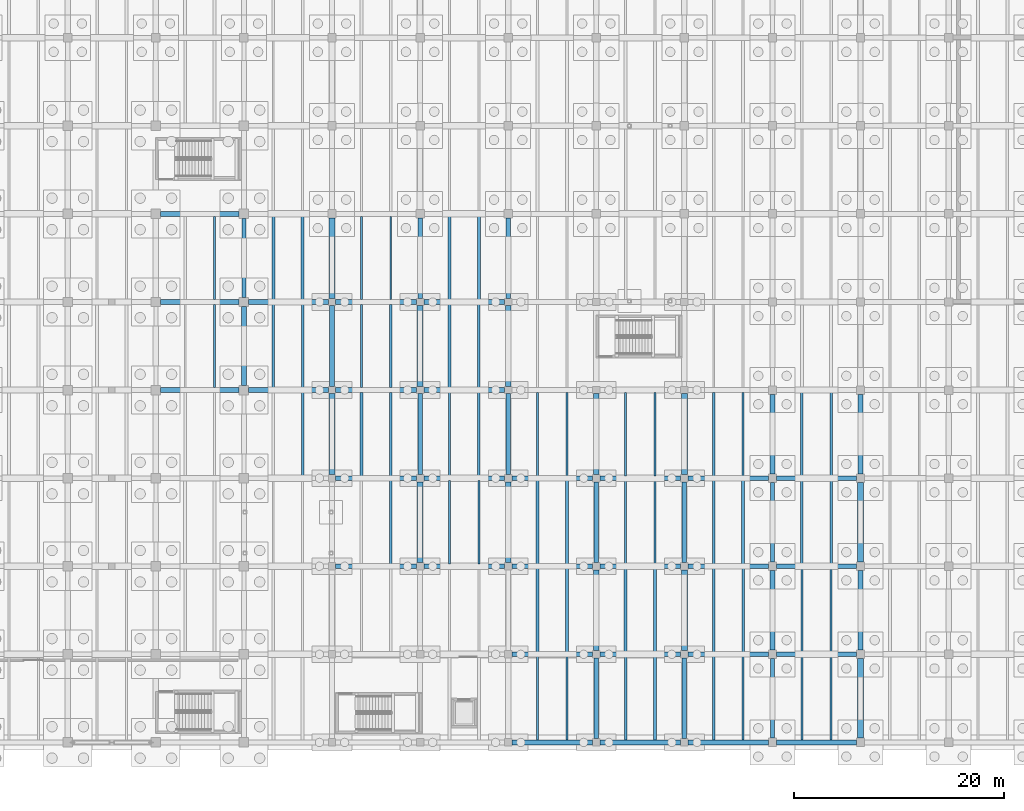
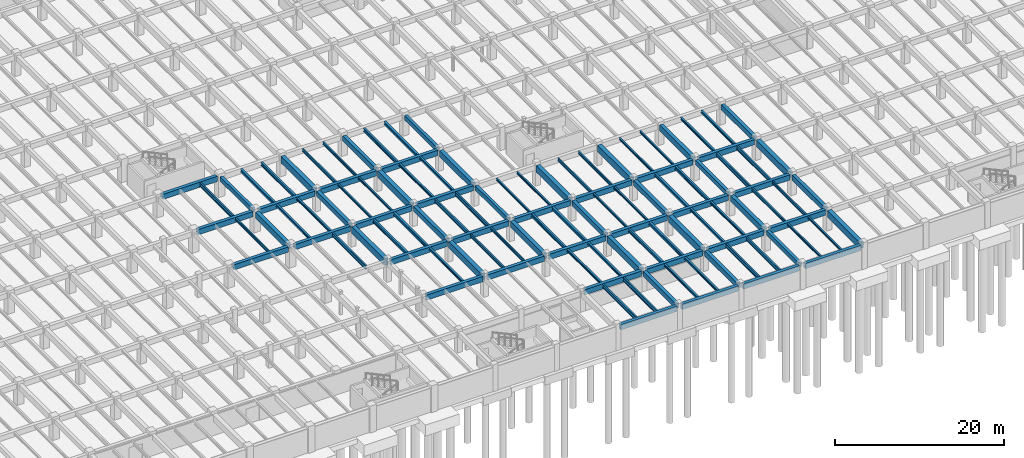
# One storey, part 26 of 70: 112 beams.
"""IFC4 building model written with IfcOpenShell, lengths in metres."""

from ifc_helpers import new_model, si_unit, direction, frame, origin, origin_2d, place, context, subcontext, project, spatial, rectangle, i_section, extrude, material, material_profile, profile_set, type_object, element, save


model = new_model("IFC4")

# Units and contexts
model_context = context("Model", 3, precision=1e-05, world=origin(), true_north=direction((0.0, 1.0)))
body_context = subcontext(model_context, "Body", "Model", "MODEL_VIEW")
ifc_project = project(units=[si_unit("LENGTHUNIT", "METRE"), si_unit("AREAUNIT", "SQUARE_METRE"), si_unit("VOLUMEUNIT", "CUBIC_METRE"), si_unit("PLANEANGLEUNIT", "RADIAN"), si_unit("MASSUNIT", "GRAM", prefix="KILO")], contexts=[model_context])

# Site, building, storey
site_placement = place(None, origin())
site = spatial("IfcSite", under=ifc_project, at=site_placement, CompositionType="ELEMENT")
building_placement = place(site_placement, origin())
building = spatial("IfcBuilding", under=site, at=building_placement, Name="Cumbredor Promenade Congress Hotel", CompositionType="ELEMENT")
storey_placement = place(building_placement, frame((0.0, 0.0, -7.56005859375)))
storey = spatial("IfcBuildingStorey", under=building, at=storey_placement, Name="B02", CompositionType="ELEMENT", Elevation=-7.56005859375)

# Beams
ifc_material_1 = material(Name="Concrete C40/50", Category="concrete")
ifc_material_profile_1 = material_profile(ifc_material_1, rectangle(XDim=0.39990234375, YDim=0.64990234375, at=origin_2d()), Name="RC BEAM 400x650")
ifc_profile_set_1 = profile_set([ifc_material_profile_1], Name="Concrete C40/50")
beam_type_1 = type_object("IfcBeamType", Name="BM-RC-400x650", PredefinedType="BEAM", material=ifc_profile_set_1)
beam_1_placement = place(storey_placement, frame((67.199951171875, 50.85009765625, 2.635009765625), z_axis=(0.0, 1.0, 0.0), x_axis=(-1.0, 0.0, 0.0)))
element("IfcBeam", 1, at=beam_1_placement, inside=storey, type_object=beam_type_1, Name="B01 Y-Grid Beam 188", PredefinedType="BEAM", context=body_context, shape_type="SweptSolid", body=[
    extrude(rectangle(XDim=0.39990234375, YDim=0.64990234375, at=origin_2d()), origin(), (0.0, 0.0, 1.0), 7.5),
])
beam_2_placement = place(storey_placement, frame((92.39990234375, 33.949951171875, 2.635009765625), z_axis=(0.0, 1.0, 0.0), x_axis=(-1.0, 0.0, 0.0)))
element("IfcBeam", 2, at=beam_2_placement, inside=storey, type_object=beam_type_1, Name="B01 Y-Grid Beam 264", PredefinedType="BEAM", context=body_context, shape_type="SweptSolid", body=[
    extrude(rectangle(XDim=0.39990234375, YDim=0.64990234375, at=origin_2d()), origin(), (0.0, 0.0, 1.0), 7.699951171875),
])
beam_3_placement = place(storey_placement, frame((92.39990234375, 50.75, 2.635009765625), z_axis=(0.0, 1.0, 0.0), x_axis=(-1.0, 0.0, 0.0)))
element("IfcBeam", 3, at=beam_3_placement, inside=storey, type_object=beam_type_1, Name="B01 Y-Grid Beam 268", PredefinedType="BEAM", context=body_context, shape_type="SweptSolid", body=[
    extrude(rectangle(XDim=0.39990234375, YDim=0.64990234375, at=origin_2d()), origin(), (0.0, 0.0, 1.0), 7.64990234375),
])
for number, where, z_axis, x_axis, name in (
    (4, (117.60009765625, 8.800048828125, 2.635009765625), (0.0, 1.0, 0.0), (-1.0, 0.0, 0.0), "B01 Y-Grid Beam 336"),
    (5, (117.60009765625, 25.60009765625, 2.635009765625), (0.0, 1.0, 0.0), (-1.0, 0.0, 0.0), "B01 Y-Grid Beam 340"),
):
    element("IfcBeam", number, at=place(storey_placement, frame(where, z_axis=z_axis, x_axis=x_axis)), inside=storey, type_object=beam_type_1, Name=name, PredefinedType="BEAM", context=body_context, shape_type="SweptSolid", body=[
        extrude(rectangle(XDim=0.39990234375, YDim=0.64990234375, at=origin_2d()), origin(), (0.0, 0.0, 1.0), 7.599853515625),
    ])
ifc_material_profile_2 = material_profile(ifc_material_1, rectangle(XDim=0.449951171875, YDim=0.75, at=origin_2d()), Name="RC BEAM 450x750")
ifc_profile_set_2 = profile_set([ifc_material_profile_2], Name="Concrete C40/50")
beam_type_2 = type_object("IfcBeamType", Name="BM-RC-450x750", PredefinedType="BEAM", material=ifc_profile_set_2)
for number, where, z_axis, x_axis, name in (
    (6, (59.25, 42.0, 2.5849609375), (1.0, 0.0, 0.0), (0.0, 1.0, 0.0), "B01 X-Grid Beam 159"),
    (7, (59.25, 50.39990234375, 2.5849609375), (1.0, 0.0, 0.0), (0.0, 1.0, 0.0), "B01 X-Grid Beam 161"),
    (8, (59.25, 58.800048828125, 2.5849609375), (1.0, 0.0, 0.0), (0.0, 1.0, 0.0), "B01 X-Grid Beam 163"),
):
    element("IfcBeam", number, at=place(storey_placement, frame(where, z_axis=z_axis, x_axis=x_axis)), inside=storey, type_object=beam_type_2, Name=name, PredefinedType="BEAM", context=body_context, shape_type="SweptSolid", body=[
        extrude(rectangle(XDim=0.449951171875, YDim=0.75, at=origin_2d()), origin(), (0.0, 0.0, 1.0), 7.5),
    ])
for number, where, z_axis, x_axis, name in (
    (9, (67.64990234375, 42.0, 2.5849609375), (1.0, 0.0, 0.0), (0.0, 1.0, 0.0), "B01 X-Grid Beam 185"),
    (10, (67.64990234375, 50.39990234375, 2.5849609375), (1.0, 0.0, 0.0), (0.0, 1.0, 0.0), "B01 X-Grid Beam 187"),
):
    element("IfcBeam", number, at=place(storey_placement, frame(where, z_axis=z_axis, x_axis=x_axis)), inside=storey, type_object=beam_type_2, Name=name, PredefinedType="BEAM", context=body_context, shape_type="SweptSolid", body=[
        extrude(rectangle(XDim=0.449951171875, YDim=0.75, at=origin_2d()), origin(), (0.0, 0.0, 1.0), 7.60009765625),
    ])
for number, where, z_axis, x_axis, name in (
    (11, (75.949951171875, 25.199951171875, 2.5849609375), (1.0, 0.0, 0.0), (0.0, 1.0, 0.0), "B01 X-Grid Beam 208"),
    (12, (75.949951171875, 33.60009765625, 2.5849609375), (1.0, 0.0, 0.0), (0.0, 1.0, 0.0), "B01 X-Grid Beam 210"),
    (13, (75.949951171875, 42.0, 2.5849609375), (1.0, 0.0, 0.0), (0.0, 1.0, 0.0), "B01 X-Grid Beam 212"),
    (14, (75.60009765625, 42.35009765625, 2.5849609375), (0.0, 1.0, 0.0), (-1.0, 0.0, 0.0), "B01 Y-Grid Beam 213"),
    (15, (75.949951171875, 50.39990234375, 2.5849609375), (1.0, 0.0, 0.0), (0.0, 1.0, 0.0), "B01 X-Grid Beam 214"),
    (16, (84.35009765625, 25.199951171875, 2.5849609375), (1.0, 0.0, 0.0), (0.0, 1.0, 0.0), "B01 X-Grid Beam 234"),
    (17, (84.35009765625, 33.60009765625, 2.5849609375), (1.0, 0.0, 0.0), (0.0, 1.0, 0.0), "B01 X-Grid Beam 236"),
    (18, (84.0, 33.949951171875, 2.5849609375), (0.0, 1.0, 0.0), (-1.0, 0.0, 0.0), "B01 Y-Grid Beam 237"),
    (19, (84.35009765625, 42.0, 2.5849609375), (1.0, 0.0, 0.0), (0.0, 1.0, 0.0), "B01 X-Grid Beam 238"),
    (20, (84.35009765625, 50.39990234375, 2.5849609375), (1.0, 0.0, 0.0), (0.0, 1.0, 0.0), "B01 X-Grid Beam 240"),
):
    element("IfcBeam", number, at=place(storey_placement, frame(where, z_axis=z_axis, x_axis=x_axis)), inside=storey, type_object=beam_type_2, Name=name, PredefinedType="BEAM", context=body_context, shape_type="SweptSolid", body=[
        extrude(rectangle(XDim=0.449951171875, YDim=0.75, at=origin_2d()), origin(), (0.0, 0.0, 1.0), 7.699951171875),
    ])
beam_4_placement = place(storey_placement, frame((84.0, 50.75, 2.5849609375), z_axis=(0.0, 1.0, 0.0), x_axis=(-1.0, 0.0, 0.0)))
element("IfcBeam", 21, at=beam_4_placement, inside=storey, type_object=beam_type_2, Name="B01 Y-Grid Beam 241", PredefinedType="BEAM", context=body_context, shape_type="SweptSolid", body=[
    extrude(rectangle(XDim=0.449951171875, YDim=0.75, at=origin_2d()), origin(), (0.0, 0.0, 1.0), 7.64990234375),
])
for number, where, z_axis, x_axis, name in (
    (22, (92.75, 8.39990234375, 2.5849609375), (1.0, 0.0, 0.0), (0.0, 1.0, 0.0), "B01 X-Grid Beam 257"),
    (23, (92.75, 16.800048828125, 2.5849609375), (1.0, 0.0, 0.0), (0.0, 1.0, 0.0), "B01 X-Grid Beam 259"),
    (24, (92.75, 25.199951171875, 2.5849609375), (1.0, 0.0, 0.0), (0.0, 1.0, 0.0), "B01 X-Grid Beam 261"),
    (25, (92.75, 33.60009765625, 2.5849609375), (1.0, 0.0, 0.0), (0.0, 1.0, 0.0), "B01 X-Grid Beam 263"),
):
    element("IfcBeam", number, at=place(storey_placement, frame(where, z_axis=z_axis, x_axis=x_axis)), inside=storey, type_object=beam_type_2, Name=name, PredefinedType="BEAM", context=body_context, shape_type="SweptSolid", body=[
        extrude(rectangle(XDim=0.449951171875, YDim=0.75, at=origin_2d()), origin(), (0.0, 0.0, 1.0), 7.699951171875),
    ])
beam_5_placement = place(storey_placement, frame((101.14990234375, 8.39990234375, 2.5849609375), z_axis=(1.0, 0.0, 0.0), x_axis=(0.0, 1.0, 0.0)))
element("IfcBeam", 26, at=beam_5_placement, inside=storey, type_object=beam_type_2, Name="B01 X-Grid Beam 284", PredefinedType="BEAM", context=body_context, shape_type="SweptSolid", body=[
    extrude(rectangle(XDim=0.449951171875, YDim=0.75, at=origin_2d()), origin(), (0.0, 0.0, 1.0), 7.7001953125),
])
beam_6_placement = place(storey_placement, frame((100.800048828125, 8.75, 2.5849609375), z_axis=(0.0, 1.0, 0.0), x_axis=(-1.0, 0.0, 0.0)))
element("IfcBeam", 27, at=beam_6_placement, inside=storey, type_object=beam_type_2, Name="B01 Y-Grid Beam 285", PredefinedType="BEAM", context=body_context, shape_type="SweptSolid", body=[
    extrude(rectangle(XDim=0.449951171875, YDim=0.75, at=origin_2d()), origin(), (0.0, 0.0, 1.0), 7.699951171875),
])
for number, where, z_axis, x_axis, name in (
    (28, (101.14990234375, 16.800048828125, 2.5849609375), (1.0, 0.0, 0.0), (0.0, 1.0, 0.0), "B01 X-Grid Beam 286"),
    (29, (101.14990234375, 25.199951171875, 2.5849609375), (1.0, 0.0, 0.0), (0.0, 1.0, 0.0), "B01 X-Grid Beam 288"),
):
    element("IfcBeam", number, at=place(storey_placement, frame(where, z_axis=z_axis, x_axis=x_axis)), inside=storey, type_object=beam_type_2, Name=name, PredefinedType="BEAM", context=body_context, shape_type="SweptSolid", body=[
        extrude(rectangle(XDim=0.449951171875, YDim=0.75, at=origin_2d()), origin(), (0.0, 0.0, 1.0), 7.7001953125),
    ])
beam_7_placement = place(storey_placement, frame((100.800048828125, 25.550048828125, 2.5849609375), z_axis=(0.0, 1.0, 0.0), x_axis=(-1.0, 0.0, 0.0)))
element("IfcBeam", 30, at=beam_7_placement, inside=storey, type_object=beam_type_2, Name="B01 Y-Grid Beam 289", PredefinedType="BEAM", context=body_context, shape_type="SweptSolid", body=[
    extrude(rectangle(XDim=0.449951171875, YDim=0.75, at=origin_2d()), origin(), (0.0, 0.0, 1.0), 7.699951171875),
])
beam_8_placement = place(storey_placement, frame((101.14990234375, 33.60009765625, 2.5849609375), z_axis=(1.0, 0.0, 0.0), x_axis=(0.0, 1.0, 0.0)))
element("IfcBeam", 31, at=beam_8_placement, inside=storey, type_object=beam_type_2, Name="B01 X-Grid Beam 290", PredefinedType="BEAM", context=body_context, shape_type="SweptSolid", body=[
    extrude(rectangle(XDim=0.449951171875, YDim=0.75, at=origin_2d()), origin(), (0.0, 0.0, 1.0), 7.7001953125),
])
beam_9_placement = place(storey_placement, frame((109.550048828125, 8.39990234375, 2.5849609375), z_axis=(1.0, 0.0, 0.0), x_axis=(0.0, 1.0, 0.0)))
element("IfcBeam", 32, at=beam_9_placement, inside=storey, type_object=beam_type_2, Name="B01 X-Grid Beam 308", PredefinedType="BEAM", context=body_context, shape_type="SweptSolid", body=[
    extrude(rectangle(XDim=0.449951171875, YDim=0.75, at=origin_2d()), origin(), (0.0, 0.0, 1.0), 7.64990234375),
])
beam_10_placement = place(storey_placement, frame((109.199951171875, 8.75, 2.5849609375), z_axis=(0.0, 1.0, 0.0), x_axis=(-1.0, 0.0, 0.0)))
element("IfcBeam", 33, at=beam_10_placement, inside=storey, type_object=beam_type_2, Name="B01 Y-Grid Beam 309", PredefinedType="BEAM", context=body_context, shape_type="SweptSolid", body=[
    extrude(rectangle(XDim=0.449951171875, YDim=0.75, at=origin_2d()), origin(), (0.0, 0.0, 1.0), 7.699951171875),
])
for number, where, z_axis, x_axis, name in (
    (34, (109.550048828125, 16.800048828125, 2.5849609375), (1.0, 0.0, 0.0), (0.0, 1.0, 0.0), "B01 X-Grid Beam 310"),
    (35, (109.550048828125, 25.199951171875, 2.5849609375), (1.0, 0.0, 0.0), (0.0, 1.0, 0.0), "B01 X-Grid Beam 312"),
):
    element("IfcBeam", number, at=place(storey_placement, frame(where, z_axis=z_axis, x_axis=x_axis)), inside=storey, type_object=beam_type_2, Name=name, PredefinedType="BEAM", context=body_context, shape_type="SweptSolid", body=[
        extrude(rectangle(XDim=0.449951171875, YDim=0.75, at=origin_2d()), origin(), (0.0, 0.0, 1.0), 7.64990234375),
    ])
beam_11_placement = place(storey_placement, frame((109.199951171875, 25.550048828125, 2.5849609375), z_axis=(0.0, 1.0, 0.0), x_axis=(-1.0, 0.0, 0.0)))
element("IfcBeam", 36, at=beam_11_placement, inside=storey, type_object=beam_type_2, Name="B01 Y-Grid Beam 313", PredefinedType="BEAM", context=body_context, shape_type="SweptSolid", body=[
    extrude(rectangle(XDim=0.449951171875, YDim=0.75, at=origin_2d()), origin(), (0.0, 0.0, 1.0), 7.699951171875),
])
beam_12_placement = place(storey_placement, frame((109.550048828125, 33.60009765625, 2.5849609375), z_axis=(1.0, 0.0, 0.0), x_axis=(0.0, 1.0, 0.0)))
element("IfcBeam", 37, at=beam_12_placement, inside=storey, type_object=beam_type_2, Name="B01 X-Grid Beam 314", PredefinedType="BEAM", context=body_context, shape_type="SweptSolid", body=[
    extrude(rectangle(XDim=0.449951171875, YDim=0.75, at=origin_2d()), origin(), (0.0, 0.0, 1.0), 7.64990234375),
])
for number, where, z_axis, x_axis, name in (
    (38, (118.0, 8.39990234375, 2.5849609375), (1.0, 0.0, 0.0), (0.0, 1.0, 0.0), "B01 X-Grid Beam 335"),
    (39, (118.0, 16.800048828125, 2.5849609375), (1.0, 0.0, 0.0), (0.0, 1.0, 0.0), "B01 X-Grid Beam 337"),
    (40, (118.0, 25.199951171875, 2.5849609375), (1.0, 0.0, 0.0), (0.0, 1.0, 0.0), "B01 X-Grid Beam 339"),
    (41, (118.0, 33.60009765625, 2.5849609375), (1.0, 0.0, 0.0), (0.0, 1.0, 0.0), "B01 X-Grid Beam 341"),
    (42, (126.0, 17.199951171875, 2.5849609375), (0.0, 1.0, 0.0), (-1.0, 0.0, 0.0), "B01 Y-Grid Beam 365"),
    (43, (126.0, 34.0, 2.5849609375), (0.0, 1.0, 0.0), (-1.0, 0.0, 0.0), "B01 Y-Grid Beam 369"),
):
    element("IfcBeam", number, at=place(storey_placement, frame(where, z_axis=z_axis, x_axis=x_axis)), inside=storey, type_object=beam_type_2, Name=name, PredefinedType="BEAM", context=body_context, shape_type="SweptSolid", body=[
        extrude(rectangle(XDim=0.449951171875, YDim=0.75, at=origin_2d()), origin(), (0.0, 0.0, 1.0), 7.60009765625),
    ])
ifc_material_profile_3 = material_profile(ifc_material_1, rectangle(XDim=0.5, YDim=0.85009765625, at=origin_2d()), Name="RC BEAM 500x850")
ifc_profile_set_3 = profile_set([ifc_material_profile_3], Name="Concrete C40/50")
beam_type_3 = type_object("IfcBeamType", Name="BM-RC-500x850", PredefinedType="BEAM", material=ifc_profile_set_3)
beam_13_placement = place(storey_placement, frame((67.199951171875, 42.449951171875, 2.53515625), z_axis=(0.0, 1.0, 0.0), x_axis=(-1.0, 0.0, 0.0)))
element("IfcBeam", 44, at=beam_13_placement, inside=storey, type_object=beam_type_3, Name="B01 Y-Grid Beam 186", PredefinedType="BEAM", context=body_context, shape_type="SweptSolid", body=[
    extrude(rectangle(XDim=0.5, YDim=0.85009765625, at=origin_2d()), origin(), (0.0, 0.0, 1.0), 7.5),
])
for number, where, z_axis, x_axis, name in (
    (45, (92.39990234375, 25.550048828125, 2.53515625), (0.0, 1.0, 0.0), (-1.0, 0.0, 0.0), "B01 Y-Grid Beam 262"),
    (46, (92.39990234375, 42.35009765625, 2.53515625), (0.0, 1.0, 0.0), (-1.0, 0.0, 0.0), "B01 Y-Grid Beam 266"),
):
    element("IfcBeam", number, at=place(storey_placement, frame(where, z_axis=z_axis, x_axis=x_axis)), inside=storey, type_object=beam_type_3, Name=name, PredefinedType="BEAM", context=body_context, shape_type="SweptSolid", body=[
        extrude(rectangle(XDim=0.5, YDim=0.85009765625, at=origin_2d()), origin(), (0.0, 0.0, 1.0), 7.699951171875),
    ])
for number, where, z_axis, x_axis, name in (
    (47, (117.60009765625, 17.199951171875, 2.53515625), (0.0, 1.0, 0.0), (-1.0, 0.0, 0.0), "B01 Y-Grid Beam 338"),
    (48, (117.60009765625, 34.0, 2.53515625), (0.0, 1.0, 0.0), (-1.0, 0.0, 0.0), "B01 Y-Grid Beam 342"),
):
    element("IfcBeam", number, at=place(storey_placement, frame(where, z_axis=z_axis, x_axis=x_axis)), inside=storey, type_object=beam_type_3, Name=name, PredefinedType="BEAM", context=body_context, shape_type="SweptSolid", body=[
        extrude(rectangle(XDim=0.5, YDim=0.85009765625, at=origin_2d()), origin(), (0.0, 0.0, 1.0), 7.60009765625),
    ])
ifc_material_profile_4 = material_profile(ifc_material_1, rectangle(XDim=0.550048828125, YDim=0.949951171875, at=origin_2d()), Name="RC BEAM 550x950")
ifc_profile_set_4 = profile_set([ifc_material_profile_4], Name="Concrete C40/50")
beam_type_4 = type_object("IfcBeamType", Name="BM-RC-550x950", PredefinedType="BEAM", material=ifc_profile_set_4)
beam_14_placement = place(storey_placement, frame((75.60009765625, 33.949951171875, 2.485107421875), z_axis=(0.0, 1.0, 0.0), x_axis=(-1.0, 0.0, 0.0)))
element("IfcBeam", 49, at=beam_14_placement, inside=storey, type_object=beam_type_4, Name="B01 Y-Grid Beam 211", PredefinedType="BEAM", context=body_context, shape_type="SweptSolid", body=[
    extrude(rectangle(XDim=0.550048828125, YDim=0.949951171875, at=origin_2d()), origin(), (0.0, 0.0, 1.0), 7.699951171875),
])
beam_15_placement = place(storey_placement, frame((75.60009765625, 50.75, 2.485107421875), z_axis=(0.0, 1.0, 0.0), x_axis=(-1.0, 0.0, 0.0)))
element("IfcBeam", 50, at=beam_15_placement, inside=storey, type_object=beam_type_4, Name="B01 Y-Grid Beam 215", PredefinedType="BEAM", context=body_context, shape_type="SweptSolid", body=[
    extrude(rectangle(XDim=0.550048828125, YDim=0.949951171875, at=origin_2d()), origin(), (0.0, 0.0, 1.0), 7.64990234375),
])
for number, where, z_axis, x_axis, name in (
    (51, (84.0, 25.550048828125, 2.485107421875), (0.0, 1.0, 0.0), (-1.0, 0.0, 0.0), "B01 Y-Grid Beam 235"),
    (52, (84.0, 42.35009765625, 2.485107421875), (0.0, 1.0, 0.0), (-1.0, 0.0, 0.0), "B01 Y-Grid Beam 239"),
):
    element("IfcBeam", number, at=place(storey_placement, frame(where, z_axis=z_axis, x_axis=x_axis)), inside=storey, type_object=beam_type_4, Name=name, PredefinedType="BEAM", context=body_context, shape_type="SweptSolid", body=[
        extrude(rectangle(XDim=0.550048828125, YDim=0.949951171875, at=origin_2d()), origin(), (0.0, 0.0, 1.0), 7.699951171875),
    ])
beam_16_placement = place(storey_placement, frame((100.800048828125, 17.14990234375, 2.485107421875), z_axis=(0.0, 1.0, 0.0), x_axis=(-1.0, 0.0, 0.0)))
element("IfcBeam", 53, at=beam_16_placement, inside=storey, type_object=beam_type_4, Name="B01 Y-Grid Beam 287", PredefinedType="BEAM", context=body_context, shape_type="SweptSolid", body=[
    extrude(rectangle(XDim=0.550048828125, YDim=0.949951171875, at=origin_2d()), origin(), (0.0, 0.0, 1.0), 7.7001953125),
])
beam_17_placement = place(storey_placement, frame((100.800048828125, 33.949951171875, 2.485107421875), z_axis=(0.0, 1.0, 0.0), x_axis=(-1.0, 0.0, 0.0)))
element("IfcBeam", 54, at=beam_17_placement, inside=storey, type_object=beam_type_4, Name="B01 Y-Grid Beam 291", PredefinedType="BEAM", context=body_context, shape_type="SweptSolid", body=[
    extrude(rectangle(XDim=0.550048828125, YDim=0.949951171875, at=origin_2d()), origin(), (0.0, 0.0, 1.0), 7.699951171875),
])
beam_18_placement = place(storey_placement, frame((109.199951171875, 17.14990234375, 2.485107421875), z_axis=(0.0, 1.0, 0.0), x_axis=(-1.0, 0.0, 0.0)))
element("IfcBeam", 55, at=beam_18_placement, inside=storey, type_object=beam_type_4, Name="B01 Y-Grid Beam 311", PredefinedType="BEAM", context=body_context, shape_type="SweptSolid", body=[
    extrude(rectangle(XDim=0.550048828125, YDim=0.949951171875, at=origin_2d()), origin(), (0.0, 0.0, 1.0), 7.7001953125),
])
beam_19_placement = place(storey_placement, frame((109.199951171875, 33.949951171875, 2.485107421875), z_axis=(0.0, 1.0, 0.0), x_axis=(-1.0, 0.0, 0.0)))
element("IfcBeam", 56, at=beam_19_placement, inside=storey, type_object=beam_type_4, Name="B01 Y-Grid Beam 315", PredefinedType="BEAM", context=body_context, shape_type="SweptSolid", body=[
    extrude(rectangle(XDim=0.550048828125, YDim=0.949951171875, at=origin_2d()), origin(), (0.0, 0.0, 1.0), 7.699951171875),
])
for number, where, z_axis, x_axis, name in (
    (57, (126.0, 8.800048828125, 2.485107421875), (0.0, 1.0, 0.0), (-1.0, 0.0, 0.0), "B01 Y-Grid Beam 363"),
    (58, (126.0, 25.60009765625, 2.485107421875), (0.0, 1.0, 0.0), (-1.0, 0.0, 0.0), "B01 Y-Grid Beam 367"),
):
    element("IfcBeam", number, at=place(storey_placement, frame(where, z_axis=z_axis, x_axis=x_axis)), inside=storey, type_object=beam_type_4, Name=name, PredefinedType="BEAM", context=body_context, shape_type="SweptSolid", body=[
        extrude(rectangle(XDim=0.550048828125, YDim=0.949951171875, at=origin_2d()), origin(), (0.0, 0.0, 1.0), 7.599853515625),
    ])
ifc_material_2 = material(Name="Steel ASTM A992 Grade 50", Category="steel")
ifc_material_profile_5 = material_profile(ifc_material_2, i_section(OverallWidth=0.202880859375, OverallDepth=0.302978515625, WebThickness=0.007568359375, FlangeThickness=0.01318359375, at=origin_2d()), Name="W12X40")
ifc_profile_set_5 = profile_set([ifc_material_profile_5], Name="Steel ASTM A992 Grade 50")
beam_type_5 = type_object("IfcBeamType", Name="JST-W12X40", PredefinedType="JOIST", material=ifc_profile_set_5)
for number, where, z_axis, x_axis, name in (
    (59, (78.39990234375, 42.22509765625, 2.80859375), (0.0, 1.0, 0.0), (-1.0, 0.0, 0.0), "B01 Secondary Floor Joist 0180"),
    (60, (81.199951171875, 42.22509765625, 2.80859375), (0.0, 1.0, 0.0), (-1.0, 0.0, 0.0), "B01 Secondary Floor Joist 0181"),
    (61, (95.199951171875, 33.824951171875, 2.80859375), (0.0, 1.0, 0.0), (-1.0, 0.0, 0.0), "B01 Secondary Floor Joist 0230"),
    (62, (98.0, 33.824951171875, 2.80859375), (0.0, 1.0, 0.0), (-1.0, 0.0, 0.0), "B01 Secondary Floor Joist 0231"),
    (63, (103.60009765625, 25.425048828125, 2.80859375), (0.0, 1.0, 0.0), (-1.0, 0.0, 0.0), "B01 Secondary Floor Joist 0250"),
    (64, (106.39990234375, 25.425048828125, 2.80859375), (0.0, 1.0, 0.0), (-1.0, 0.0, 0.0), "B01 Secondary Floor Joist 0251"),
    (65, (112.0, 33.824951171875, 2.80859375), (0.0, 1.0, 0.0), (-1.0, 0.0, 0.0), "B01 Secondary Floor Joist 0275"),
    (66, (114.800048828125, 33.824951171875, 2.80859375), (0.0, 1.0, 0.0), (-1.0, 0.0, 0.0), "B01 Secondary Floor Joist 0276"),
    (67, (120.39990234375, 8.625, 2.80859375), (0.0, 1.0, 0.0), (-1.0, 0.0, 0.0), "B01 Secondary Floor Joist 0295"),
    (68, (123.199951171875, 8.625, 2.80859375), (0.0, 1.0, 0.0), (-1.0, 0.0, 0.0), "B01 Secondary Floor Joist 0296"),
):
    element("IfcBeam", number, at=place(storey_placement, frame(where, z_axis=z_axis, x_axis=x_axis)), inside=storey, type_object=beam_type_5, Name=name, PredefinedType="JOIST", context=body_context, shape_type="SweptSolid", body=[
        extrude(i_section(OverallWidth=0.202880859375, OverallDepth=0.302978515625, WebThickness=0.007568359375, FlangeThickness=0.01318359375, at=origin_2d()), origin(), (0.0, 0.0, 1.0), 7.949951171875),
    ])
ifc_material_profile_6 = material_profile(ifc_material_2, i_section(OverallWidth=0.2548828125, OverallDepth=0.35693359375, WebThickness=0.010498046875, FlangeThickness=0.018310546875, at=origin_2d()), Name="W14X68")
ifc_profile_set_6 = profile_set([ifc_material_profile_6], Name="Steel ASTM A992 Grade 50")
beam_type_6 = type_object("IfcBeamType", Name="JST-W14X68", PredefinedType="JOIST", material=ifc_profile_set_6)
for number, where, z_axis, x_axis, name in (
    (69, (70.0, 42.22509765625, 2.781494140625), (0.0, 1.0, 0.0), (-1.0, 0.0, 0.0), "B01 Secondary Floor Joist 0156"),
    (70, (72.800048828125, 42.22509765625, 2.781494140625), (0.0, 1.0, 0.0), (-1.0, 0.0, 0.0), "B01 Secondary Floor Joist 0157"),
    (71, (81.199951171875, 25.425048828125, 2.781494140625), (0.0, 1.0, 0.0), (-1.0, 0.0, 0.0), "B01 Secondary Floor Joist 0177"),
    (72, (86.800048828125, 42.22509765625, 2.781494140625), (0.0, 1.0, 0.0), (-1.0, 0.0, 0.0), "B01 Secondary Floor Joist 0206"),
    (73, (89.60009765625, 42.22509765625, 2.781494140625), (0.0, 1.0, 0.0), (-1.0, 0.0, 0.0), "B01 Secondary Floor Joist 0207"),
):
    element("IfcBeam", number, at=place(storey_placement, frame(where, z_axis=z_axis, x_axis=x_axis)), inside=storey, type_object=beam_type_6, Name=name, PredefinedType="JOIST", context=body_context, shape_type="SweptSolid", body=[
        extrude(i_section(OverallWidth=0.2548828125, OverallDepth=0.35693359375, WebThickness=0.010498046875, FlangeThickness=0.018310546875, at=origin_2d()), origin(), (0.0, 0.0, 1.0), 7.949951171875),
    ])
for number, where, z_axis, x_axis, name in (
    (74, (95.199951171875, 17.02490234375, 2.781494140625), (0.0, 1.0, 0.0), (-1.0, 0.0, 0.0), "B01 Secondary Floor Joist 0226"),
    (75, (98.0, 17.02490234375, 2.781494140625), (0.0, 1.0, 0.0), (-1.0, 0.0, 0.0), "B01 Secondary Floor Joist 0227"),
):
    element("IfcBeam", number, at=place(storey_placement, frame(where, z_axis=z_axis, x_axis=x_axis)), inside=storey, type_object=beam_type_6, Name=name, PredefinedType="JOIST", context=body_context, shape_type="SweptSolid", body=[
        extrude(i_section(OverallWidth=0.2548828125, OverallDepth=0.35693359375, WebThickness=0.010498046875, FlangeThickness=0.018310546875, at=origin_2d()), origin(), (0.0, 0.0, 1.0), 7.9501953125),
    ])
for number, where, z_axis, x_axis, name in (
    (76, (103.60009765625, 8.625, 2.781494140625), (0.0, 1.0, 0.0), (-1.0, 0.0, 0.0), "B01 Secondary Floor Joist 0246"),
    (77, (106.39990234375, 8.625, 2.781494140625), (0.0, 1.0, 0.0), (-1.0, 0.0, 0.0), "B01 Secondary Floor Joist 0247"),
):
    element("IfcBeam", number, at=place(storey_placement, frame(where, z_axis=z_axis, x_axis=x_axis)), inside=storey, type_object=beam_type_6, Name=name, PredefinedType="JOIST", context=body_context, shape_type="SweptSolid", body=[
        extrude(i_section(OverallWidth=0.2548828125, OverallDepth=0.35693359375, WebThickness=0.010498046875, FlangeThickness=0.018310546875, at=origin_2d()), origin(), (0.0, 0.0, 1.0), 7.949951171875),
    ])
for number, where, z_axis, x_axis, name in (
    (78, (112.0, 17.02490234375, 2.781494140625), (0.0, 1.0, 0.0), (-1.0, 0.0, 0.0), "B01 Secondary Floor Joist 0271"),
    (79, (114.800048828125, 17.02490234375, 2.781494140625), (0.0, 1.0, 0.0), (-1.0, 0.0, 0.0), "B01 Secondary Floor Joist 0272"),
):
    element("IfcBeam", number, at=place(storey_placement, frame(where, z_axis=z_axis, x_axis=x_axis)), inside=storey, type_object=beam_type_6, Name=name, PredefinedType="JOIST", context=body_context, shape_type="SweptSolid", body=[
        extrude(i_section(OverallWidth=0.2548828125, OverallDepth=0.35693359375, WebThickness=0.010498046875, FlangeThickness=0.018310546875, at=origin_2d()), origin(), (0.0, 0.0, 1.0), 7.9501953125),
    ])
for number, where, z_axis, x_axis, name in (
    (80, (120.39990234375, 33.824951171875, 2.781494140625), (0.0, 1.0, 0.0), (-1.0, 0.0, 0.0), "B01 Secondary Floor Joist 0301"),
    (81, (123.199951171875, 33.824951171875, 2.781494140625), (0.0, 1.0, 0.0), (-1.0, 0.0, 0.0), "B01 Secondary Floor Joist 0302"),
):
    element("IfcBeam", number, at=place(storey_placement, frame(where, z_axis=z_axis, x_axis=x_axis)), inside=storey, type_object=beam_type_6, Name=name, PredefinedType="JOIST", context=body_context, shape_type="SweptSolid", body=[
        extrude(i_section(OverallWidth=0.2548828125, OverallDepth=0.35693359375, WebThickness=0.010498046875, FlangeThickness=0.018310546875, at=origin_2d()), origin(), (0.0, 0.0, 1.0), 7.949951171875),
    ])
ifc_material_profile_7 = material_profile(ifc_material_2, i_section(OverallWidth=0.180908203125, OverallDepth=0.4169921875, WebThickness=0.010986328125, FlangeThickness=0.018310546875, at=origin_2d()), Name="W16X57")
ifc_profile_set_7 = profile_set([ifc_material_profile_7], Name="Steel ASTM A992 Grade 50")
beam_type_7 = type_object("IfcBeamType", Name="JST-W16X57", PredefinedType="JOIST", material=ifc_profile_set_7)
for number, where, z_axis, x_axis, name in (
    (82, (64.39990234375, 42.22509765625, 2.75146484375), (0.0, 1.0, 0.0), (-1.0, 0.0, 0.0), "B01 Secondary Floor Joist 0133"),
    (83, (78.39990234375, 50.625, 2.75146484375), (0.0, 1.0, 0.0), (-1.0, 0.0, 0.0), "B01 Secondary Floor Joist 0182"),
    (84, (81.199951171875, 50.625, 2.75146484375), (0.0, 1.0, 0.0), (-1.0, 0.0, 0.0), "B01 Secondary Floor Joist 0183"),
    (85, (86.800048828125, 25.425048828125, 2.75146484375), (0.0, 1.0, 0.0), (-1.0, 0.0, 0.0), "B01 Secondary Floor Joist 0202"),
    (86, (89.60009765625, 25.425048828125, 2.75146484375), (0.0, 1.0, 0.0), (-1.0, 0.0, 0.0), "B01 Secondary Floor Joist 0203"),
    (87, (103.60009765625, 33.824951171875, 2.75146484375), (0.0, 1.0, 0.0), (-1.0, 0.0, 0.0), "B01 Secondary Floor Joist 0252"),
    (88, (106.39990234375, 33.824951171875, 2.75146484375), (0.0, 1.0, 0.0), (-1.0, 0.0, 0.0), "B01 Secondary Floor Joist 0253"),
):
    element("IfcBeam", number, at=place(storey_placement, frame(where, z_axis=z_axis, x_axis=x_axis)), inside=storey, type_object=beam_type_7, Name=name, PredefinedType="JOIST", context=body_context, shape_type="SweptSolid", body=[
        extrude(i_section(OverallWidth=0.180908203125, OverallDepth=0.4169921875, WebThickness=0.010986328125, FlangeThickness=0.018310546875, at=origin_2d()), origin(), (0.0, 0.0, 1.0), 7.949951171875),
    ])
for number, where, z_axis, x_axis, name in (
    (89, (120.39990234375, 17.02490234375, 2.75146484375), (0.0, 1.0, 0.0), (-1.0, 0.0, 0.0), "B01 Secondary Floor Joist 0297"),
    (90, (123.199951171875, 17.02490234375, 2.75146484375), (0.0, 1.0, 0.0), (-1.0, 0.0, 0.0), "B01 Secondary Floor Joist 0298"),
):
    element("IfcBeam", number, at=place(storey_placement, frame(where, z_axis=z_axis, x_axis=x_axis)), inside=storey, type_object=beam_type_7, Name=name, PredefinedType="JOIST", context=body_context, shape_type="SweptSolid", body=[
        extrude(i_section(OverallWidth=0.180908203125, OverallDepth=0.4169921875, WebThickness=0.010986328125, FlangeThickness=0.018310546875, at=origin_2d()), origin(), (0.0, 0.0, 1.0), 7.9501953125),
    ])
ifc_material_profile_8 = material_profile(ifc_material_2, i_section(OverallWidth=0.280029296875, OverallDepth=0.462890625, WebThickness=0.0107421875, FlangeThickness=0.017333984375, at=origin_2d()), Name="W18X76")
ifc_profile_set_8 = profile_set([ifc_material_profile_8], Name="Steel ASTM A992 Grade 50")
beam_type_8 = type_object("IfcBeamType", Name="JST-W18X76", PredefinedType="JOIST", material=ifc_profile_set_8)
for number, where, z_axis, x_axis, name in (
    (91, (70.0, 50.625, 2.728515625), (0.0, 1.0, 0.0), (-1.0, 0.0, 0.0), "B01 Secondary Floor Joist 0158"),
    (92, (72.800048828125, 50.625, 2.728515625), (0.0, 1.0, 0.0), (-1.0, 0.0, 0.0), "B01 Secondary Floor Joist 0159"),
    (93, (78.39990234375, 33.824951171875, 2.728515625), (0.0, 1.0, 0.0), (-1.0, 0.0, 0.0), "B01 Secondary Floor Joist 0178"),
    (94, (81.199951171875, 33.824951171875, 2.728515625), (0.0, 1.0, 0.0), (-1.0, 0.0, 0.0), "B01 Secondary Floor Joist 0179"),
    (95, (86.800048828125, 50.625, 2.728515625), (0.0, 1.0, 0.0), (-1.0, 0.0, 0.0), "B01 Secondary Floor Joist 0208"),
    (96, (89.60009765625, 50.625, 2.728515625), (0.0, 1.0, 0.0), (-1.0, 0.0, 0.0), "B01 Secondary Floor Joist 0209"),
    (97, (95.199951171875, 25.425048828125, 2.728515625), (0.0, 1.0, 0.0), (-1.0, 0.0, 0.0), "B01 Secondary Floor Joist 0228"),
    (98, (98.0, 25.425048828125, 2.728515625), (0.0, 1.0, 0.0), (-1.0, 0.0, 0.0), "B01 Secondary Floor Joist 0229"),
):
    element("IfcBeam", number, at=place(storey_placement, frame(where, z_axis=z_axis, x_axis=x_axis)), inside=storey, type_object=beam_type_8, Name=name, PredefinedType="JOIST", context=body_context, shape_type="SweptSolid", body=[
        extrude(i_section(OverallWidth=0.280029296875, OverallDepth=0.462890625, WebThickness=0.0107421875, FlangeThickness=0.017333984375, at=origin_2d()), origin(), (0.0, 0.0, 1.0), 7.949951171875),
    ])
for number, where, z_axis, x_axis, name in (
    (99, (103.60009765625, 17.02490234375, 2.728515625), (0.0, 1.0, 0.0), (-1.0, 0.0, 0.0), "B01 Secondary Floor Joist 0248"),
    (100, (106.39990234375, 17.02490234375, 2.728515625), (0.0, 1.0, 0.0), (-1.0, 0.0, 0.0), "B01 Secondary Floor Joist 0249"),
):
    element("IfcBeam", number, at=place(storey_placement, frame(where, z_axis=z_axis, x_axis=x_axis)), inside=storey, type_object=beam_type_8, Name=name, PredefinedType="JOIST", context=body_context, shape_type="SweptSolid", body=[
        extrude(i_section(OverallWidth=0.280029296875, OverallDepth=0.462890625, WebThickness=0.0107421875, FlangeThickness=0.017333984375, at=origin_2d()), origin(), (0.0, 0.0, 1.0), 7.9501953125),
    ])
for number, where, z_axis, x_axis, name in (
    (101, (112.0, 25.425048828125, 2.728515625), (0.0, 1.0, 0.0), (-1.0, 0.0, 0.0), "B01 Secondary Floor Joist 0273"),
    (102, (114.800048828125, 25.425048828125, 2.728515625), (0.0, 1.0, 0.0), (-1.0, 0.0, 0.0), "B01 Secondary Floor Joist 0274"),
):
    element("IfcBeam", number, at=place(storey_placement, frame(where, z_axis=z_axis, x_axis=x_axis)), inside=storey, type_object=beam_type_8, Name=name, PredefinedType="JOIST", context=body_context, shape_type="SweptSolid", body=[
        extrude(i_section(OverallWidth=0.280029296875, OverallDepth=0.462890625, WebThickness=0.0107421875, FlangeThickness=0.017333984375, at=origin_2d()), origin(), (0.0, 0.0, 1.0), 7.949951171875),
    ])
ifc_material_profile_9 = material_profile(ifc_material_2, i_section(OverallWidth=0.214111328125, OverallDepth=0.549072265625, WebThickness=0.0146484375, FlangeThickness=0.023681640625, at=origin_2d()), Name="W21X93")
ifc_profile_set_9 = profile_set([ifc_material_profile_9], Name="Steel ASTM A992 Grade 50")
beam_type_9 = type_object("IfcBeamType", Name="JST-W21X93", PredefinedType="JOIST", material=ifc_profile_set_9)
for number, where, z_axis, x_axis, name in (
    (103, (64.39990234375, 50.625, 2.685546875), (0.0, 1.0, 0.0), (-1.0, 0.0, 0.0), "B01 Secondary Floor Joist 0135"),
    (104, (72.800048828125, 33.824951171875, 2.685546875), (0.0, 1.0, 0.0), (-1.0, 0.0, 0.0), "B01 Secondary Floor Joist 0155"),
    (105, (86.800048828125, 33.824951171875, 2.685546875), (0.0, 1.0, 0.0), (-1.0, 0.0, 0.0), "B01 Secondary Floor Joist 0204"),
    (106, (89.60009765625, 33.824951171875, 2.685546875), (0.0, 1.0, 0.0), (-1.0, 0.0, 0.0), "B01 Secondary Floor Joist 0205"),
    (107, (95.199951171875, 8.625, 2.685546875), (0.0, 1.0, 0.0), (-1.0, 0.0, 0.0), "B01 Secondary Floor Joist 0224"),
    (108, (98.0, 8.625, 2.685546875), (0.0, 1.0, 0.0), (-1.0, 0.0, 0.0), "B01 Secondary Floor Joist 0225"),
    (109, (112.0, 8.625, 2.685546875), (0.0, 1.0, 0.0), (-1.0, 0.0, 0.0), "B01 Secondary Floor Joist 0269"),
    (110, (114.800048828125, 8.625, 2.685546875), (0.0, 1.0, 0.0), (-1.0, 0.0, 0.0), "B01 Secondary Floor Joist 0270"),
    (111, (120.39990234375, 25.425048828125, 2.685546875), (0.0, 1.0, 0.0), (-1.0, 0.0, 0.0), "B01 Secondary Floor Joist 0299"),
    (112, (123.199951171875, 25.425048828125, 2.685546875), (0.0, 1.0, 0.0), (-1.0, 0.0, 0.0), "B01 Secondary Floor Joist 0300"),
):
    element("IfcBeam", number, at=place(storey_placement, frame(where, z_axis=z_axis, x_axis=x_axis)), inside=storey, type_object=beam_type_9, Name=name, PredefinedType="JOIST", context=body_context, shape_type="SweptSolid", body=[
        extrude(i_section(OverallWidth=0.214111328125, OverallDepth=0.549072265625, WebThickness=0.0146484375, FlangeThickness=0.023681640625, at=origin_2d()), origin(), (0.0, 0.0, 1.0), 7.949951171875),
    ])

save(model, "model.ifc")
